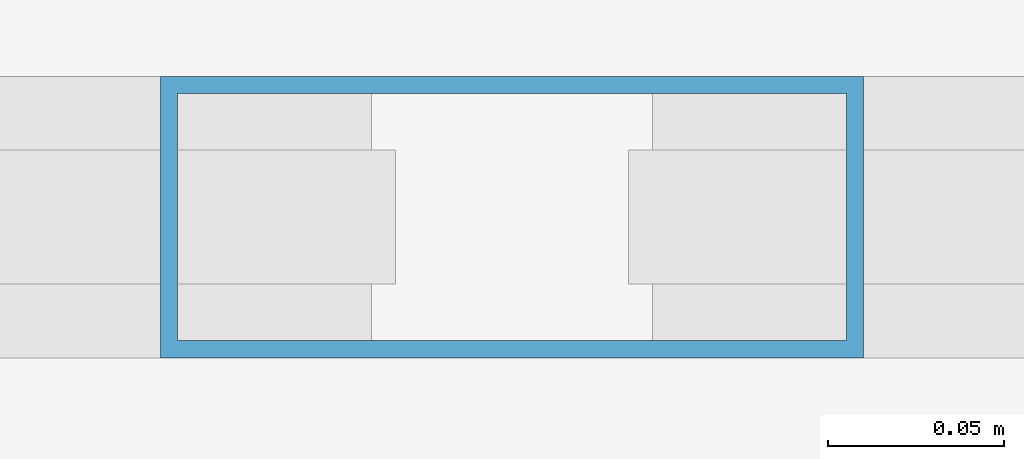
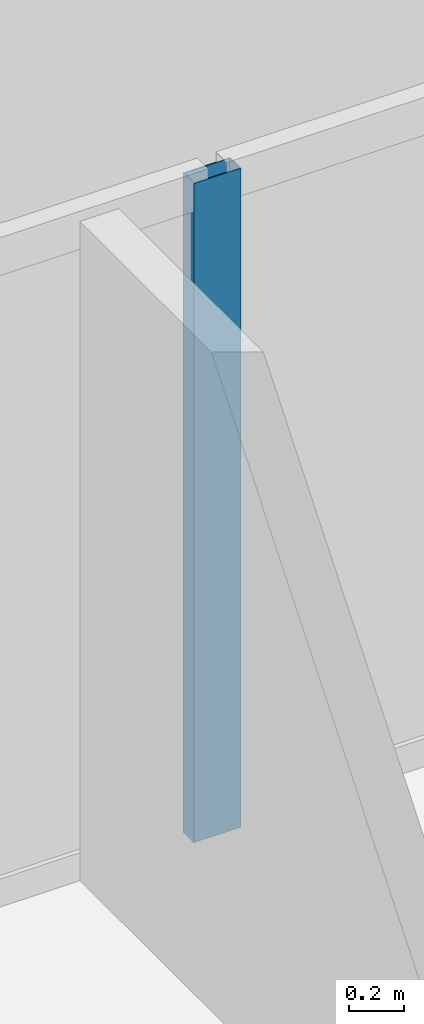
# One storey, part 12 of 21: 1 member, 1 element without a shape of its own.
"""IFC4 building model written with IfcOpenShell, lengths in metres."""

from ifc_helpers import new_model, si_unit, direction, frame, origin, origin_2d, place, context, subcontext, project, spatial, hollow_rectangle, extrude, source, transform, mapped, material, layer, layer_set, material_profile, profile_set, type_object, element, aggregate, save


model = new_model("IFC4")

# Units and contexts
model_context = context("Model", 3, precision=1e-05, world=origin(), true_north=direction((0.0, 1.0)))
body_context = subcontext(model_context, "Body", "Model", "MODEL_VIEW")
ifc_project = project(units=[si_unit("LENGTHUNIT", "METRE"), si_unit("AREAUNIT", "SQUARE_METRE"), si_unit("VOLUMEUNIT", "CUBIC_METRE"), si_unit("PLANEANGLEUNIT", "RADIAN"), si_unit("MASSUNIT", "GRAM", prefix="KILO")], contexts=[model_context])

# Site, building, storey
site_placement = place(None, origin())
site = spatial("IfcSite", under=ifc_project, at=site_placement, CompositionType="ELEMENT")
building_placement = place(site_placement, origin())
building = spatial("IfcBuilding", under=site, at=building_placement, Name="Kolveth Station Tower", CompositionType="ELEMENT")
storey_placement = place(building_placement, frame((0.0, 0.0, 115.10009765625)))
storey = spatial("IfcBuildingStorey", under=building, at=storey_placement, Name="L31", CompositionType="ELEMENT", Elevation=115.10009765625)

# Curtain wall, member
ifc_material_1 = material(Name="Aluminium 6063-T6 and low-E dark glass", Category="aluminium")
ifc_layer = layer(ifc_material_1, 0.18994140625)
ifc_layer_set = layer_set([ifc_layer], Name="Aluminium 6063-T6 and low-E dark glass")
curtain_wall_type = type_object("IfcCurtainWallType", Name="CurtainWall_CW-Z2", PredefinedType="NOTDEFINED", material=ifc_layer_set)
curtain_wall_placement = place(storey_placement, origin())
curtain_wall = element("IfcCurtainWall", 1, at=curtain_wall_placement, inside=storey, type_object=curtain_wall_type, Name="L31 Inner Thermal Curtain Wall 6", PredefinedType="NOTDEFINED")
ifc_material_2 = material(Name="Black anodized aluminium 6063-T6", Category="aluminium")
ifc_material_profile = material_profile(ifc_material_2, hollow_rectangle(XDim=0.080078125, YDim=0.199951171875, WallThickness=0.0048828125, at=origin_2d()), Name="ALU-80x200x5")
ifc_profile_set = profile_set([ifc_material_profile], Name="Black anodized aluminium 6063-T6")
member_type = type_object("IfcMemberType", Name="Mullion_ML2", PredefinedType="MULLION", material=ifc_profile_set)
shared_shape = source(origin(), body_context, "Body", "SweptSolid", [
    extrude(hollow_rectangle(XDim=0.080078125, YDim=0.199951171875, WallThickness=0.0048828125, at=origin_2d()), origin(), (0.0, 0.0, 1.0), 2.949951171875),
])
member_placement = place(storey_placement, frame((23.5, 35.179931640625, 0.0), z_axis=(0.0, 0.0, 1.0), x_axis=(0.0, -1.0, 0.0)))
member = element("IfcMember", 2, at=member_placement, type_object=member_type, Name="CW-Z2 mullion 2", PredefinedType="MULLION", context=body_context, shape_type="MappedRepresentation", body=[
    mapped(shared_shape, transform((0.0, 0.0, 0.0), x_axis=(1.0, 0.0, 0.0), y_axis=(0.0, 1.0, 0.0), z_axis=(0.0, 0.0, 1.0), scale=1.0)),
])
aggregate(curtain_wall, [member])

save(model, "model.ifc")
